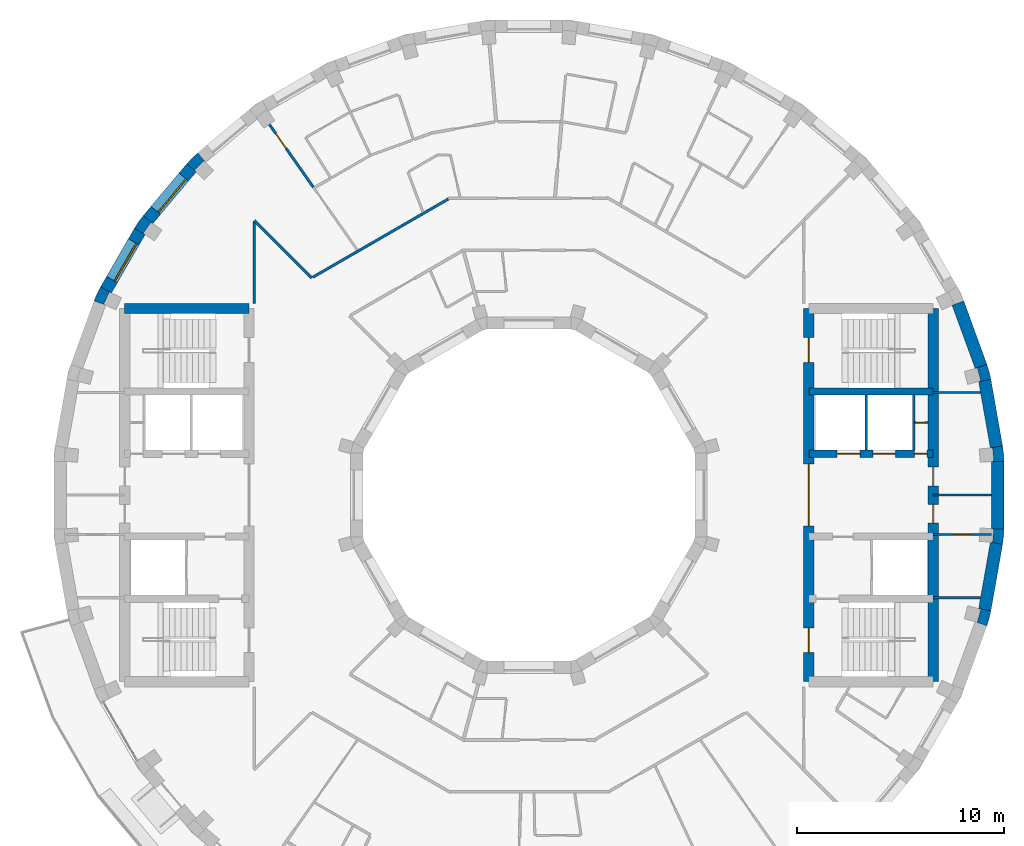
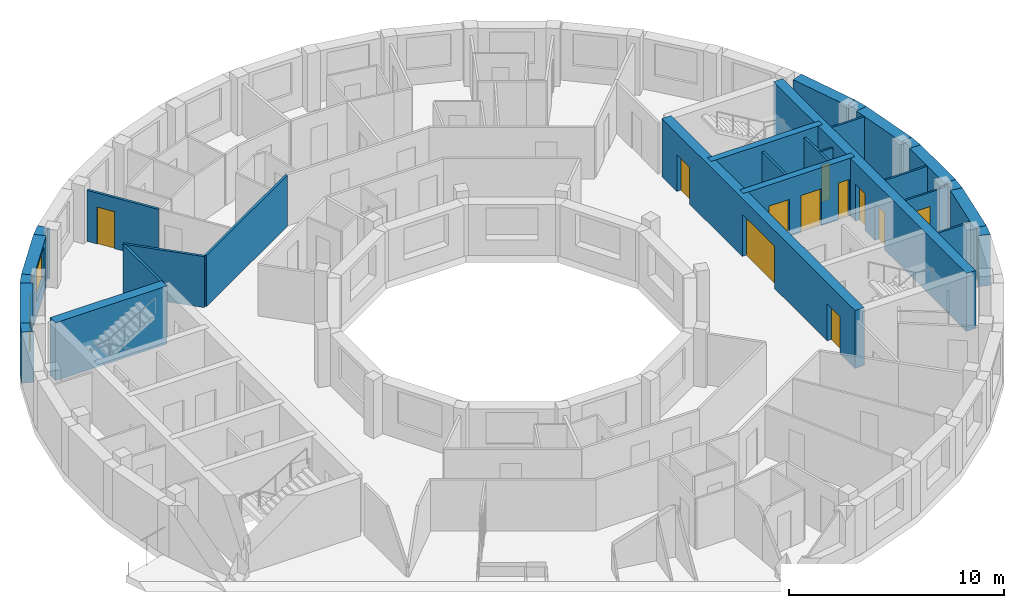
# One storey, part 8 of 12: 29 walls, 11 doors, 2 windows, 13 openings.
"""IFC4 building model written with IfcOpenShell, lengths in metres."""

from ifc_helpers import new_model, si_unit, direction, frame, frame_2d, origin, place, context, subcontext, project, spatial, polyline, rectangle, outline, extrude, material, layer, layer_set, type_object, element, fill, save


model = new_model("IFC4")

# Units and contexts
model_context = context("Model", 3, precision=1e-05, world=origin(), true_north=direction((0.0, 1.0)))
body_context = subcontext(model_context, "Body", "Model", "MODEL_VIEW")
ifc_project = project(units=[si_unit("LENGTHUNIT", "METRE"), si_unit("AREAUNIT", "SQUARE_METRE"), si_unit("VOLUMEUNIT", "CUBIC_METRE"), si_unit("PLANEANGLEUNIT", "RADIAN"), si_unit("MASSUNIT", "GRAM", prefix="KILO")], contexts=[model_context])

# Site, building, storey
site_placement = place(None, origin())
site = spatial("IfcSite", under=ifc_project, at=site_placement, CompositionType="ELEMENT")
building_placement = place(site_placement, origin())
building = spatial("IfcBuilding", under=site, at=building_placement, Name="Saqina Gate Tower", CompositionType="ELEMENT")
storey_placement = place(building_placement, frame((0.0, 0.0, 266.0)))
storey = spatial("IfcBuildingStorey", under=building, at=storey_placement, Name="L76", CompositionType="ELEMENT", Elevation=266.0)

# Walls
ifc_material_1 = material(Name="Brick masonry (buff)", Category="masonry")
wall_type_1 = type_object("IfcWallType", Name="BRICK PIER COPING BUFF", PredefinedType="SOLIDWALL", material=ifc_material_1)
wall_1_placement = place(storey_placement, origin())
element("IfcWall", 1, at=wall_1_placement, inside=storey, type_object=wall_type_1, Name="Pier cap L76 column 1", PredefinedType="SOLIDWALL", context=body_context, shape_type="SweptSolid", body=[
    extrude(outline(polyline([(22.91259765625, 1.625732421875), (22.8466796875, 2.377685546875), (22.255859375, 2.2734375), (22.361083984375, 2.28271484375), (22.417724609375, 1.635009765625), (22.3125, 1.625732421875), (22.91259765625, 1.625732421875)])), origin(), (0.0, 0.0, 1.0), 2.89990234375),
])
wall_2_placement = place(storey_placement, origin())
element("IfcWall", 2, at=wall_2_placement, inside=storey, type_object=wall_type_1, Name="Pier cap L76 column 2", PredefinedType="SOLIDWALL", context=body_context, shape_type="SweptSolid", body=[
    extrude(outline(polyline([(22.0869140625, 6.30859375), (21.52294921875, 6.103515625), (21.625, 6.130859375), (21.793212890625, 5.5029296875), (21.691162109375, 5.4755859375), (22.281982421875, 5.579833984375), (22.0869140625, 6.30859375)])), origin(), (0.0, 0.0, 1.0), 2.89990234375),
])
wall_3_placement = place(storey_placement, origin())
element("IfcWall", 3, at=wall_3_placement, inside=storey, type_object=wall_type_1, Name="Pier cap L76 column 14", PredefinedType="SOLIDWALL", context=body_context, shape_type="SweptSolid", body=[
    extrude(outline(polyline([(-16.5068359375, 15.973388671875), (-16.04736328125, 15.587646484375), (-16.1220703125, 15.662353515625), (-15.662353515625, 16.1220703125), (-15.587646484375, 16.04736328125), (-15.973388671875, 16.5068359375), (-16.5068359375, 15.973388671875)])), origin(), (0.0, 0.0, 1.0), 2.89990234375),
])
wall_4_placement = place(storey_placement, origin())
element("IfcWall", 4, at=wall_4_placement, inside=storey, type_object=wall_type_1, Name="Pier cap L76 column 15", PredefinedType="SOLIDWALL", context=body_context, shape_type="SweptSolid", body=[
    extrude(outline(polyline([(-19.02978515625, 12.8642578125), (-18.51025390625, 12.564208984375), (-18.596923828125, 12.625), (-18.22412109375, 13.157470703125), (-18.137451171875, 13.0966796875), (-18.59716796875, 13.482421875), (-19.02978515625, 12.8642578125)])), origin(), (0.0, 0.0, 1.0), 2.89990234375),
])
wall_5_placement = place(storey_placement, origin())
element("IfcWall", 5, at=wall_5_placement, inside=storey, type_object=wall_type_1, Name="Pier cap L76 column 16", PredefinedType="SOLIDWALL", context=body_context, shape_type="SweptSolid", body=[
    extrude(outline(polyline([(-20.65576171875, 10.048095703125), (-20.974609375, 9.3642578125), (-20.410888671875, 9.1591796875), (-20.506591796875, 9.203857421875), (-20.23193359375, 9.79296875), (-20.135986328125, 9.748291015625), (-20.65576171875, 10.048095703125)])), origin(), (0.0, 0.0, 1.0), 2.89990234375),
])
wall_6_placement = place(storey_placement, origin())
element("IfcWall", 6, at=wall_6_placement, inside=storey, type_object=wall_type_1, Name="Pier cap L76 column 35", PredefinedType="SOLIDWALL", context=body_context, shape_type="SweptSolid", body=[
    extrude(outline(polyline([(22.281982421875, -5.579833984375), (21.691162109375, -5.4755859375), (21.793212890625, -5.5029296875), (21.625, -6.130859375), (21.52294921875, -6.103515625), (22.0869140625, -6.30859375), (22.281982421875, -5.579833984375)])), origin(), (0.0, 0.0, 1.0), 2.89990234375),
])
wall_7_placement = place(storey_placement, origin())
element("IfcWall", 7, at=wall_7_placement, inside=storey, type_object=wall_type_1, Name="Pier cap L76 column 36", PredefinedType="SOLIDWALL", context=body_context, shape_type="SweptSolid", body=[
    extrude(outline(polyline([(22.8466796875, -2.377685546875), (22.91259765625, -1.625732421875), (22.3125, -1.625732421875), (22.417724609375, -1.635009765625), (22.361083984375, -2.28271484375), (22.255859375, -2.2734375), (22.8466796875, -2.377685546875)])), origin(), (0.0, 0.0, 1.0), 2.89990234375),
])

# Wall, opening, door
ifc_material_2 = material(Name="Gypsum board on steel studs", Category="steel")
ifc_layer_1 = layer(ifc_material_2, 0.10009765625)
ifc_layer_set_1 = layer_set([ifc_layer_1], Name="CORE PARTITION")
wall_type_2 = type_object("IfcWallType", Name="CORE PARTITION", PredefinedType="PARTITIONING", material=ifc_layer_set_1)
wall_8_placement = place(storey_placement, frame((18.56005859375, 3.5, 0.0), z_axis=(0.0, 0.0, 1.0), x_axis=(1.0, 0.0, 0.0)))
wall_8 = element("IfcWall", 8, at=wall_8_placement, inside=storey, type_object=wall_type_2, Name="L76-CP-E01", PredefinedType="PARTITIONING", context=body_context, shape_type="SweptSolid", body=[
    extrude(rectangle(XDim=0.68994140625, YDim=0.10009765625, at=frame_2d((0.344970703125, 0.0))), origin(), (0.0, 0.0, 1.0), 2.89990234375),
])
opening_1_placement = place(wall_8_placement, frame((0.10009765625, 0.0, 0.0)))
opening_1 = element("IfcOpeningElement", 9, at=opening_1_placement, cuts=wall_8, Name="Opening G22-D95", PredefinedType="OPENING", context=body_context, shape_type="SweptSolid", body=[
    extrude(rectangle(XDim=0.449951171875, YDim=2.10009765625, at=frame_2d((0.22509765625, 1.050048828125))), frame((0.0, 0.06201171875, 0.0), z_axis=(0.0, -1.0, 0.0), x_axis=(1.0, 0.0, 0.0)), (0.0, 0.0, 1.0), 0.1240234375),
])
ifc_material_3 = material(Name="Steel-framed fire door leaf, EI 60", Category="steel")
door_type_1 = type_object("IfcDoorType", Name="SERVICE ROOM DOOR 450", OperationType="SINGLE_SWING_LEFT", PredefinedType="DOOR", material=ifc_material_3)
door_1_placement = place(opening_1_placement, origin())
door_1 = element("IfcDoor", 10, at=door_1_placement, inside=storey, type_object=door_type_1, Name="L76-CD-E06", OperationType="SINGLE_SWING_RIGHT", OverallHeight=2.10009765625, OverallWidth=0.449951171875, PredefinedType="DOOR", context=body_context, shape_type="SweptSolid", body=[
    extrude(rectangle(XDim=0.449951171875, YDim=2.10009765625, at=frame_2d((0.22509765625, 1.050048828125))), frame((0.0, 0.02490234375, 0.0), z_axis=(0.0, -1.0, 0.0), x_axis=(1.0, 0.0, 0.0)), (0.0, 0.0, 1.0), 0.050048828125),
])
fill(opening_1, door_1)

# Walls
for number, where, z_axis, x_axis, name in (
    (11, (19.5, 4.949951171875, 0.0), (0.0, 0.0, 1.0), (1.0, 0.0, 0.0), "L76-CP-E02"),
    (12, (19.5, -4.949951171875, 0.0), (0.0, 0.0, 1.0), (1.0, 0.0, 0.0), "L76-CP-E03"),
):
    element("IfcWall", number, at=place(storey_placement, frame(where, z_axis=z_axis, x_axis=x_axis)), inside=storey, type_object=wall_type_2, Name=name, PredefinedType="PARTITIONING", context=body_context, shape_type="SweptSolid", body=[
        extrude(rectangle(XDim=2.283935546875, YDim=0.10009765625, at=frame_2d((1.14208984375, 0.0))), origin(), (0.0, 0.0, 1.0), 2.89990234375),
    ])

# Wall, opening, door
wall_9_placement = place(storey_placement, frame((19.5, -1.89990234375, 0.0), z_axis=(0.0, 0.0, 1.0), x_axis=(1.0, 0.0, 0.0)))
wall_9 = element("IfcWall", 13, at=wall_9_placement, inside=storey, type_object=wall_type_2, Name="L76-CP-E04", PredefinedType="PARTITIONING", context=body_context, shape_type="SweptSolid", body=[
    extrude(rectangle(XDim=2.8125, YDim=0.10009765625, at=frame_2d((1.40625, 0.0))), origin(), (0.0, 0.0, 1.0), 2.89990234375),
])
opening_2_placement = place(wall_9_placement, frame((0.956298828125, 0.0, 0.0)))
opening_2 = element("IfcOpeningElement", 14, at=opening_2_placement, cuts=wall_9, Name="Opening G22-D93", PredefinedType="OPENING", context=body_context, shape_type="SweptSolid", body=[
    extrude(rectangle(XDim=0.89990234375, YDim=2.10009765625, at=frame_2d((0.449951171875, 1.050048828125))), frame((0.0, 0.06201171875, 0.0), z_axis=(0.0, -1.0, 0.0), x_axis=(1.0, 0.0, 0.0)), (0.0, 0.0, 1.0), 0.1240234375),
])
ifc_material_4 = material(Name="Steel-framed fire door leaf, EI 60", Category="steel")
door_type_2 = type_object("IfcDoorType", Name="SERVICE ROOM DOOR 900", OperationType="SINGLE_SWING_LEFT", PredefinedType="DOOR", material=ifc_material_4)
door_2_placement = place(opening_2_placement, frame((0.89990234375, 0.0, 0.0), z_axis=(0.0, 0.0, 1.0), x_axis=(-1.0, 0.0, 0.0)))
door_2 = element("IfcDoor", 15, at=door_2_placement, inside=storey, type_object=door_type_2, Name="L76-CD-E04", OperationType="SINGLE_SWING_LEFT", OverallHeight=2.10009765625, OverallWidth=0.89990234375, PredefinedType="DOOR", context=body_context, shape_type="SweptSolid", body=[
    extrude(rectangle(XDim=0.89990234375, YDim=2.10009765625, at=frame_2d((0.449951171875, 1.050048828125))), frame((0.0, 0.02490234375, 0.0), z_axis=(0.0, -1.0, 0.0), x_axis=(1.0, 0.0, 0.0)), (0.0, 0.0, 1.0), 0.050048828125),
])
fill(opening_2, door_2)

# Wall
wall_10_placement = place(storey_placement, frame((19.5, 0.0, 0.0), z_axis=(0.0, 0.0, 1.0), x_axis=(1.0, 0.0, 0.0)))
element("IfcWall", 16, at=wall_10_placement, inside=storey, type_object=wall_type_2, Name="L76-CP-E05", PredefinedType="PARTITIONING", context=body_context, shape_type="SweptSolid", body=[
    extrude(rectangle(XDim=2.8125, YDim=0.10009765625, at=frame_2d((1.40625, 0.0))), origin(), (0.0, 0.0, 1.0), 2.89990234375),
])

# Wall, opening, window
ifc_material_5 = material(Name="Brick masonry (buff)", Category="masonry")
ifc_layer_2 = layer(ifc_material_5, 0.60009765625)
ifc_layer_set_2 = layer_set([ifc_layer_2], Name="FW-BRICK-BUFF")
wall_type_3 = type_object("IfcWallType", Name="FW-BRICK-BUFF", PredefinedType="SOLIDWALL", material=ifc_layer_set_2)
wall_11_placement = place(storey_placement, frame((-16.277099609375, 15.780517578125, 0.0), z_axis=(0.0, 0.0, 1.0), x_axis=(-0.64277291405, -0.766056773982, 0.0)))
wall_11 = element("IfcWall", 17, at=wall_11_placement, inside=storey, type_object=wall_type_3, Name="Facade wall L76 facet 14", PredefinedType="SOLIDWALL", context=body_context, shape_type="SweptSolid", body=[
    extrude(rectangle(XDim=3.251708984375, YDim=0.60009765625, at=frame_2d((1.6259765625, 0.0))), origin(), (0.0, 0.0, 1.0), 2.89990234375),
])
opening_3_placement = place(wall_11_placement, frame((0.57568359375, 0.0, 0.89990234375)))
opening_3 = element("IfcOpeningElement", 18, at=opening_3_placement, cuts=wall_11, Name="Opening G22-W12", PredefinedType="OPENING", context=body_context, shape_type="SweptSolid", body=[
    extrude(rectangle(XDim=2.10009765625, YDim=1.800048828125, at=frame_2d((1.050048828125, 0.89990234375))), frame((0.0, 0.31201171875, 0.0), z_axis=(0.0, -1.0, 0.0), x_axis=(1.0, 0.0, 0.0)), (0.0, 0.0, 1.0), 0.6240234375),
])
ifc_material_6 = material(Name="Aluminium glazing", Category="aluminium")
window_type = type_object("IfcWindowType", Name="WN-D", PartitioningType="SINGLE_PANEL", PredefinedType="WINDOW", material=ifc_material_6)
window_1_placement = place(opening_3_placement, origin())
window_1 = element("IfcWindow", 19, at=window_1_placement, inside=storey, type_object=window_type, Name="Window L76 facet 14", OverallHeight=1.800048828125, OverallWidth=2.10009765625, PartitioningType="SINGLE_PANEL", PredefinedType="WINDOW", context=body_context, shape_type="SweptSolid", body=[
    extrude(rectangle(XDim=2.10009765625, YDim=1.800048828125, at=frame_2d((1.050048828125, 0.89990234375))), frame((0.0, 0.179931640625, 0.0), z_axis=(0.0, -1.0, 0.0), x_axis=(1.0, 0.0, 0.0)), (0.0, 0.0, 1.0), 0.06005859375),
])
fill(opening_3, window_1)

wall_12_placement = place(storey_placement, frame((-18.77001953125, 12.71435546875, 0.0), z_axis=(0.0, 0.0, 1.0), x_axis=(-0.500014901547, -0.866016800201, 0.0)))
wall_12 = element("IfcWall", 20, at=wall_12_placement, inside=storey, type_object=wall_type_3, Name="Facade wall L76 facet 15", PredefinedType="SOLIDWALL", context=body_context, shape_type="SweptSolid", body=[
    extrude(rectangle(XDim=3.251953125, YDim=0.60009765625, at=frame_2d((1.6259765625, 0.0))), origin(), (0.0, 0.0, 1.0), 2.89990234375),
])
opening_4_placement = place(wall_12_placement, frame((0.57568359375, 0.0, 0.89990234375)))
opening_4 = element("IfcOpeningElement", 21, at=opening_4_placement, cuts=wall_12, Name="Opening G22-W13", PredefinedType="OPENING", context=body_context, shape_type="SweptSolid", body=[
    extrude(rectangle(XDim=2.10009765625, YDim=1.800048828125, at=frame_2d((1.050048828125, 0.89990234375))), frame((0.0, 0.31201171875, 0.0), z_axis=(0.0, -1.0, 0.0), x_axis=(1.0, 0.0, 0.0)), (0.0, 0.0, 1.0), 0.6240234375),
])
window_2_placement = place(opening_4_placement, origin())
window_2 = element("IfcWindow", 22, at=window_2_placement, inside=storey, type_object=window_type, Name="Window L76 facet 15", OverallHeight=1.800048828125, OverallWidth=2.10009765625, PartitioningType="SINGLE_PANEL", PredefinedType="WINDOW", context=body_context, shape_type="SweptSolid", body=[
    extrude(rectangle(XDim=2.10009765625, YDim=1.800048828125, at=frame_2d((1.050048828125, 0.89990234375))), frame((0.0, 0.179931640625, 0.0), z_axis=(0.0, -1.0, 0.0), x_axis=(1.0, 0.0, 0.0)), (0.0, 0.0, 1.0), 0.06005859375),
])
fill(opening_4, window_2)

# Walls
ifc_material_7 = material(Name="Glazed ceramic tile", Category="ceramic")
ifc_layer_3 = layer(ifc_material_7, 0.60009765625)
ifc_layer_set_3 = layer_set([ifc_layer_3], Name="FW-TILE")
wall_type_4 = type_object("IfcWallType", Name="FW-TILE", PredefinedType="SOLIDWALL", material=ifc_layer_set_3)
for number, where, z_axis, x_axis, name in (
    (23, (22.55126953125, 2.325439453125, 0.0), (0.0, 0.0, 1.0), (-0.173656842178, 0.984806225186, 0.0), "Facade wall L76 facet 1"),
    (24, (21.986572265625, -5.52783203125, 0.0), (0.0, 0.0, 1.0), (0.173656842178, 0.984806225186, 0.0), "Facade wall L76 facet 35"),
):
    element("IfcWall", number, at=place(storey_placement, frame(where, z_axis=z_axis, x_axis=x_axis)), inside=storey, type_object=wall_type_4, Name=name, PredefinedType="SOLIDWALL", context=body_context, shape_type="SweptSolid", body=[
        extrude(rectangle(XDim=3.251708984375, YDim=0.60009765625, at=frame_2d((1.6259765625, 0.0))), origin(), (0.0, 0.0, 1.0), 2.89990234375),
    ])
ifc_material_8 = material(Name="Glazed ceramic tile (dark blue)", Category="ceramic")
ifc_layer_4 = layer(ifc_material_8, 0.60009765625)
ifc_layer_set_4 = layer_set([ifc_layer_4], Name="FW-TILE-CB")
wall_type_5 = type_object("IfcWallType", Name="FW-TILE-CB", PredefinedType="SOLIDWALL", material=ifc_layer_set_4)
wall_13_placement = place(storey_placement, frame((21.804931640625, 6.2060546875, 0.0), z_axis=(0.0, 0.0, 1.0), x_axis=(-0.342056509473, 0.939679383794, 0.0)))
element("IfcWall", 25, at=wall_13_placement, inside=storey, type_object=wall_type_5, Name="Facade wall L76 facet 2", PredefinedType="SOLIDWALL", context=body_context, shape_type="SweptSolid", body=[
    extrude(rectangle(XDim=3.251708984375, YDim=0.60009765625, at=frame_2d((1.6259765625, 0.0))), origin(), (0.0, 0.0, 1.0), 2.89990234375),
])
ifc_material_9 = material(Name="Glazed ceramic tile (white)", Category="ceramic")
ifc_layer_5 = layer(ifc_material_9, 0.60009765625)
ifc_layer_set_5 = layer_set([ifc_layer_5], Name="FW-TILE-WH")
wall_type_6 = type_object("IfcWallType", Name="FW-TILE-WH", PredefinedType="SOLIDWALL", material=ifc_layer_set_5)
wall_14_placement = place(storey_placement, frame((22.612548828125, -1.625732421875, 0.0), z_axis=(0.0, 0.0, 1.0), x_axis=(0.0, 1.0, 0.0)))
element("IfcWall", 26, at=wall_14_placement, inside=storey, type_object=wall_type_6, Name="Facade wall L76 facet 36", PredefinedType="SOLIDWALL", context=body_context, shape_type="SweptSolid", body=[
    extrude(rectangle(XDim=3.25146484375, YDim=0.60009765625, at=frame_2d((1.625732421875, 0.0))), origin(), (0.0, 0.0, 1.0), 2.89990234375),
])

# Wall, opening, door
ifc_material_10 = material(Name="Gypsum board on steel studs, 125 mm, fire rated", Category="steel")
ifc_layer_6 = layer(ifc_material_10, 0.125)
ifc_layer_set_6 = layer_set([ifc_layer_6], Name="PARTITION EI 30 125")
wall_type_7 = type_object("IfcWallType", Name="PARTITION EI 30 125", PredefinedType="PARTITIONING", material=ifc_layer_set_6)
wall_15_placement = place(storey_placement, frame((-12.5126953125, 17.86962890625, 0.0), z_axis=(0.0, 0.0, 1.0), x_axis=(0.573564635471, -0.819160307228, 0.0)))
wall_15 = element("IfcWall", 27, at=wall_15_placement, inside=storey, type_object=wall_type_7, Name="PARTITION PW1-03", PredefinedType="PARTITIONING", context=body_context, shape_type="SweptSolid", body=[
    extrude(rectangle(XDim=3.68408203125, YDim=0.125, at=frame_2d((1.842041015625, 0.0))), origin(), (0.0, 0.0, 1.0), 2.89990234375),
])
opening_5_placement = place(wall_15_placement, frame((0.525634765625, 0.0, 0.0)))
opening_5 = element("IfcOpeningElement", 28, at=opening_5_placement, cuts=wall_15, Name="Opening G22-D23", PredefinedType="OPENING", context=body_context, shape_type="SweptSolid", body=[
    extrude(rectangle(XDim=0.89990234375, YDim=2.10009765625, at=frame_2d((0.449951171875, 1.050048828125))), frame((0.0, 0.074462890625, 0.0), z_axis=(0.0, -1.0, 0.0), x_axis=(1.0, 0.0, 0.0)), (0.0, 0.0, 1.0), 0.14892578125),
])
ifc_material_11 = material(Name="Fire door leaf EI 30, 900 mm")
door_type_3 = type_object("IfcDoorType", Name="DOOR 900 EI 30", OperationType="SINGLE_SWING_LEFT", PredefinedType="DOOR", material=ifc_material_11)
door_3_placement = place(opening_5_placement, frame((0.89990234375, 0.0, 0.0), z_axis=(0.0, 0.0, 1.0), x_axis=(-1.0, 0.0, 0.0)))
door_3 = element("IfcDoor", 29, at=door_3_placement, inside=storey, type_object=door_type_3, Name="DOOR G22-D23", OperationType="SINGLE_SWING_RIGHT", OverallHeight=2.10009765625, OverallWidth=0.89990234375, PredefinedType="DOOR", context=body_context, shape_type="SweptSolid", body=[
    extrude(rectangle(XDim=0.89990234375, YDim=2.10009765625, at=frame_2d((0.449951171875, 1.050048828125))), frame((0.0, 0.02490234375, 0.0), z_axis=(0.0, -1.0, 0.0), x_axis=(1.0, 0.0, 0.0)), (0.0, 0.0, 1.0), 0.050048828125),
])
fill(opening_5, door_3)

# Walls
wall_16_placement = place(storey_placement, frame((-13.25, 13.25, 0.0), z_axis=(0.0, 0.0, 1.0), x_axis=(0.707106781187, -0.707106781187, 0.0)))
element("IfcWall", 30, at=wall_16_placement, inside=storey, type_object=wall_type_7, Name="PARTITION PW1-04", PredefinedType="PARTITIONING", context=body_context, shape_type="SweptSolid", body=[
    extrude(rectangle(XDim=3.9228515625, YDim=0.125, at=frame_2d((1.96142578125, 0.0))), origin(), (0.0, 0.0, 1.0), 2.89990234375),
])
wall_17_placement = place(storey_placement, frame((-10.421875, 10.50732421875, 0.0), z_axis=(0.0, 0.0, 1.0), x_axis=(0.866068111199, 0.499926021291, 0.0)))
element("IfcWall", 31, at=wall_17_placement, inside=storey, type_object=wall_type_7, Name="PARTITION PW1-28", PredefinedType="PARTITIONING", context=body_context, shape_type="SweptSolid", body=[
    extrude(rectangle(XDim=7.544189453125, YDim=0.125, at=frame_2d((3.77197265625, 0.0))), origin(), (0.0, 0.0, 1.0), 2.89990234375),
])
wall_18_placement = place(storey_placement, frame((-13.25, 9.25, 0.0), z_axis=(0.0, 0.0, 1.0), x_axis=(0.0, 1.0, 0.0)))
element("IfcWall", 32, at=wall_18_placement, inside=storey, type_object=wall_type_7, Name="PARTITION PW1-45", PredefinedType="PARTITIONING", context=body_context, shape_type="SweptSolid", body=[
    extrude(rectangle(XDim=3.9375, YDim=0.125, at=frame_2d((1.96875, 0.0))), origin(), (0.0, 0.0, 1.0), 2.89990234375),
])
ifc_material_12 = material(Name="Autoclaved aerated concrete block", Category="concrete")
ifc_layer_7 = layer(ifc_material_12, 0.1201171875)
ifc_layer_set_7 = layer_set([ifc_layer_7], Name="SHAFT PARTITION")
wall_type_8 = type_object("IfcWallType", Name="SHAFT PARTITION", PredefinedType="PARTITIONING", material=ifc_layer_set_7)
for number, where, z_axis, x_axis, name in (
    (33, (16.280029296875, 2.175048828125, 0.0), (0.0, 0.0, 1.0), (0.0, 1.0, 0.0), "L76-CP-E06"),
    (34, (18.56005859375, 2.175048828125, 0.0), (0.0, 0.0, 1.0), (0.0, 1.0, 0.0), "L76-CP-E07"),
):
    element("IfcWall", number, at=place(storey_placement, frame(where, z_axis=z_axis, x_axis=x_axis)), inside=storey, type_object=wall_type_8, Name=name, PredefinedType="PARTITIONING", context=body_context, shape_type="SweptSolid", body=[
        extrude(rectangle(XDim=2.64990234375, YDim=0.1201171875, at=frame_2d((1.324951171875, 0.0))), origin(), (0.0, 0.0, 1.0), 2.89990234375),
    ])
ifc_material_13 = material(Name="Concrete C60/75", Category="concrete")
ifc_layer_8 = layer(ifc_material_13, 0.35009765625)
ifc_layer_set_8 = layer_set([ifc_layer_8], Name="Concrete C60/75")
wall_type_9 = type_object("IfcWallType", Name="STR-CORE WALL-D-I", PredefinedType="SHEAR", material=ifc_layer_set_8)
wall_19_placement = place(storey_placement, frame((13.5, 5.0, 0.0), z_axis=(0.0, 0.0, 1.0), x_axis=(1.0, 0.0, 0.0)))
element("IfcWall", 35, at=wall_19_placement, inside=storey, type_object=wall_type_9, Name="CORE WALL L76 E-X1", PredefinedType="SHEAR", context=body_context, shape_type="SweptSolid", body=[
    extrude(rectangle(XDim=6.0, YDim=0.35009765625, at=frame_2d((3.0, 0.0))), origin(), (0.0, 0.0, 1.0), 3.300048828125),
])

# Wall, openings, doors
wall_20_placement = place(storey_placement, frame((13.5, 2.0, 0.0), z_axis=(0.0, 0.0, 1.0), x_axis=(1.0, 0.0, 0.0)))
wall_20 = element("IfcWall", 36, at=wall_20_placement, inside=storey, type_object=wall_type_9, Name="CORE WALL L76 E-L1", PredefinedType="SHEAR", context=body_context, shape_type="SweptSolid", body=[
    extrude(rectangle(XDim=6.0, YDim=0.35009765625, at=frame_2d((3.0, 0.0))), origin(), (0.0, 0.0, 1.0), 3.300048828125),
])
opening_6_placement = place(wall_20_placement, frame((1.3701171875, 0.0, 0.0)))
opening_6 = element("IfcOpeningElement", 37, at=opening_6_placement, cuts=wall_20, Name="Opening G22-LD1", PredefinedType="OPENING", context=body_context, shape_type="SweptSolid", body=[
    extrude(rectangle(XDim=1.10009765625, YDim=2.10009765625, at=frame_2d((0.550048828125, 1.050048828125))), frame((0.0, 0.18701171875, 0.0), z_axis=(0.0, -1.0, 0.0), x_axis=(1.0, 0.0, 0.0)), (0.0, 0.0, 1.0), 0.3740234375),
])
opening_7_placement = place(wall_20_placement, frame((3.090087890625, 0.0, 0.0)))
opening_7 = element("IfcOpeningElement", 38, at=opening_7_placement, cuts=wall_20, Name="Opening G22-LD2", PredefinedType="OPENING", context=body_context, shape_type="SweptSolid", body=[
    extrude(rectangle(XDim=1.10009765625, YDim=2.10009765625, at=frame_2d((0.550048828125, 1.050048828125))), frame((0.0, 0.18701171875, 0.0), z_axis=(0.0, -1.0, 0.0), x_axis=(1.0, 0.0, 0.0)), (0.0, 0.0, 1.0), 0.3740234375),
])
opening_8_placement = place(wall_20_placement, frame((5.10498046875, 0.0, 0.0)))
opening_8 = element("IfcOpeningElement", 39, at=opening_8_placement, cuts=wall_20, Name="Opening G22-D90", PredefinedType="OPENING", context=body_context, shape_type="SweptSolid", body=[
    extrude(rectangle(XDim=0.60009765625, YDim=2.10009765625, at=frame_2d((0.300048828125, 1.050048828125))), frame((0.0, 0.18701171875, 0.0), z_axis=(0.0, -1.0, 0.0), x_axis=(1.0, 0.0, 0.0)), (0.0, 0.0, 1.0), 0.3740234375),
])
ifc_material_14 = material(Name="Stainless steel", Category="steel")
door_type_4 = type_object("IfcDoorType", Name="LANDING DOOR", OperationType="DOUBLE_DOOR_SLIDING", PredefinedType="DOOR", material=ifc_material_14)
door_4_placement = place(opening_6_placement, origin())
door_4 = element("IfcDoor", 40, at=door_4_placement, inside=storey, type_object=door_type_4, Name="LANDING DOOR HR1", OperationType="DOUBLE_DOOR_SLIDING", OverallHeight=2.10009765625, OverallWidth=1.10009765625, PredefinedType="DOOR", context=body_context, shape_type="SweptSolid", body=[
    extrude(rectangle(XDim=1.10009765625, YDim=2.10009765625, at=frame_2d((0.550048828125, 1.050048828125))), frame((0.0, 0.02490234375, 0.0), z_axis=(0.0, -1.0, 0.0), x_axis=(1.0, 0.0, 0.0)), (0.0, 0.0, 1.0), 0.050048828125),
])
fill(opening_6, door_4)
door_5_placement = place(opening_7_placement, origin())
door_5 = element("IfcDoor", 41, at=door_5_placement, inside=storey, type_object=door_type_4, Name="LANDING DOOR HR2", OperationType="DOUBLE_DOOR_SLIDING", OverallHeight=2.10009765625, OverallWidth=1.10009765625, PredefinedType="DOOR", context=body_context, shape_type="SweptSolid", body=[
    extrude(rectangle(XDim=1.10009765625, YDim=2.10009765625, at=frame_2d((0.550048828125, 1.050048828125))), frame((0.0, 0.02490234375, 0.0), z_axis=(0.0, -1.0, 0.0), x_axis=(1.0, 0.0, 0.0)), (0.0, 0.0, 1.0), 0.050048828125),
])
fill(opening_7, door_5)
ifc_material_15 = material(Name="Steel-framed fire door leaf, EI 60", Category="steel")
door_type_5 = type_object("IfcDoorType", Name="SERVICE ROOM DOOR 600", OperationType="SINGLE_SWING_LEFT", PredefinedType="DOOR", material=ifc_material_15)
door_6_placement = place(opening_8_placement, origin())
door_6 = element("IfcDoor", 42, at=door_6_placement, inside=storey, type_object=door_type_5, Name="L76-CD-E01", OperationType="SINGLE_SWING_RIGHT", OverallHeight=2.10009765625, OverallWidth=0.60009765625, PredefinedType="DOOR", context=body_context, shape_type="SweptSolid", body=[
    extrude(rectangle(XDim=0.60009765625, YDim=2.10009765625, at=frame_2d((0.300048828125, 1.050048828125))), frame((0.0, 0.02490234375, 0.0), z_axis=(0.0, -1.0, 0.0), x_axis=(1.0, 0.0, 0.0)), (0.0, 0.0, 1.0), 0.050048828125),
])
fill(opening_8, door_6)

ifc_material_16 = material(Name="Concrete C60/75", Category="concrete")
ifc_layer_9 = layer(ifc_material_16, 0.5)
ifc_layer_set_9 = layer_set([ifc_layer_9], Name="Concrete C60/75")
wall_type_10 = type_object("IfcWallType", Name="STR-CORE WALL-D-O", PredefinedType="SHEAR", material=ifc_layer_set_9)
wall_21_placement = place(storey_placement, frame((13.5, -9.0, 0.0), z_axis=(0.0, 0.0, 1.0), x_axis=(0.0, 1.0, 0.0)))
wall_21 = element("IfcWall", 43, at=wall_21_placement, inside=storey, type_object=wall_type_10, Name="CORE WALL L76 E-W1", PredefinedType="SHEAR", context=body_context, shape_type="SweptSolid", body=[
    extrude(rectangle(XDim=18.0, YDim=0.5, at=frame_2d((9.0, 0.0))), origin(), (0.0, 0.0, 1.0), 3.300048828125),
])
opening_9_placement = place(wall_21_placement, frame((15.39990234375, 0.0, 0.0)))
opening_9 = element("IfcOpeningElement", 44, at=opening_9_placement, cuts=wall_21, Name="Opening G22-D97", PredefinedType="OPENING", context=body_context, shape_type="SweptSolid", body=[
    extrude(rectangle(XDim=1.199951171875, YDim=2.10009765625, at=frame_2d((0.60009765625, 1.050048828125))), frame((0.0, 0.261962890625, 0.0), z_axis=(0.0, -1.0, 0.0), x_axis=(1.0, 0.0, 0.0)), (0.0, 0.0, 1.0), 0.52392578125),
])
opening_10_placement = place(wall_21_placement, frame((1.39990234375, 0.0, 0.0)))
opening_10 = element("IfcOpeningElement", 45, at=opening_10_placement, cuts=wall_21, Name="Opening G22-D98", PredefinedType="OPENING", context=body_context, shape_type="SweptSolid", body=[
    extrude(rectangle(XDim=1.199951171875, YDim=2.10009765625, at=frame_2d((0.60009765625, 1.050048828125))), frame((0.0, 0.261962890625, 0.0), z_axis=(0.0, -1.0, 0.0), x_axis=(1.0, 0.0, 0.0)), (0.0, 0.0, 1.0), 0.52392578125),
])
opening_11_placement = place(wall_21_placement, frame((7.5, 0.0, 0.0)))
opening_11 = element("IfcOpeningElement", 46, at=opening_11_placement, cuts=wall_21, Name="Opening G22-D99", PredefinedType="OPENING", context=body_context, shape_type="SweptSolid", body=[
    extrude(rectangle(XDim=3.0, YDim=2.39990234375, at=frame_2d((1.5, 1.199951171875))), frame((0.0, 0.261962890625, 0.0), z_axis=(0.0, -1.0, 0.0), x_axis=(1.0, 0.0, 0.0)), (0.0, 0.0, 1.0), 0.52392578125),
])
ifc_material_17 = material(Name="Steel", Category="steel")
door_type_6 = type_object("IfcDoorType", Name="FIRE DOOR EI 60", OperationType="SINGLE_SWING_LEFT", PredefinedType="DOOR", material=ifc_material_17)
door_7_placement = place(opening_9_placement, frame((1.199951171875, 0.0, 0.0), z_axis=(0.0, 0.0, 1.0), x_axis=(-1.0, 0.0, 0.0)))
door_7 = element("IfcDoor", 47, at=door_7_placement, inside=storey, type_object=door_type_6, Name="L76-CD-E08", OperationType="SINGLE_SWING_LEFT", OverallHeight=2.10009765625, OverallWidth=1.199951171875, PredefinedType="DOOR", context=body_context, shape_type="SweptSolid", body=[
    extrude(rectangle(XDim=1.199951171875, YDim=2.10009765625, at=frame_2d((0.60009765625, 1.050048828125))), frame((0.0, 0.02490234375, 0.0), z_axis=(0.0, -1.0, 0.0), x_axis=(1.0, 0.0, 0.0)), (0.0, 0.0, 1.0), 0.050048828125),
])
fill(opening_9, door_7)
door_8_placement = place(opening_10_placement, frame((1.199951171875, 0.0, 0.0), z_axis=(0.0, 0.0, 1.0), x_axis=(-1.0, 0.0, 0.0)))
door_8 = element("IfcDoor", 48, at=door_8_placement, inside=storey, type_object=door_type_6, Name="L76-CD-E09", OperationType="SINGLE_SWING_RIGHT", OverallHeight=2.10009765625, OverallWidth=1.199951171875, PredefinedType="DOOR", context=body_context, shape_type="SweptSolid", body=[
    extrude(rectangle(XDim=1.199951171875, YDim=2.10009765625, at=frame_2d((0.60009765625, 1.050048828125))), frame((0.0, 0.02490234375, 0.0), z_axis=(0.0, -1.0, 0.0), x_axis=(1.0, 0.0, 0.0)), (0.0, 0.0, 1.0), 0.050048828125),
])
fill(opening_10, door_8)
ifc_material_18 = material(Name="Steel and fire-resisting glass", Category="steel")
door_type_7 = type_object("IfcDoorType", Name="LOBBY SCREEN DOOR", OperationType="DOUBLE_DOOR_SLIDING", PredefinedType="DOOR", material=ifc_material_18)
door_9_placement = place(opening_11_placement, origin())
door_9 = element("IfcDoor", 49, at=door_9_placement, inside=storey, type_object=door_type_7, Name="L76-CD-E10", OperationType="DOUBLE_DOOR_SLIDING", OverallHeight=2.39990234375, OverallWidth=3.0, PredefinedType="DOOR", context=body_context, shape_type="SweptSolid", body=[
    extrude(rectangle(XDim=3.0, YDim=2.39990234375, at=frame_2d((1.5, 1.199951171875))), frame((0.0, 0.02490234375, 0.0), z_axis=(0.0, -1.0, 0.0), x_axis=(1.0, 0.0, 0.0)), (0.0, 0.0, 1.0), 0.050048828125),
])
fill(opening_11, door_9)

wall_22_placement = place(storey_placement, frame((19.5, -9.0, 0.0), z_axis=(0.0, 0.0, 1.0), x_axis=(0.0, 1.0, 0.0)))
wall_22 = element("IfcWall", 50, at=wall_22_placement, inside=storey, type_object=wall_type_10, Name="CORE WALL L76 E-W2", PredefinedType="SHEAR", context=body_context, shape_type="SweptSolid", body=[
    extrude(rectangle(XDim=18.0, YDim=0.5, at=frame_2d((9.0, 0.0))), origin(), (0.0, 0.0, 1.0), 3.300048828125),
])
opening_12_placement = place(wall_22_placement, frame((9.449951171875, 0.0, 0.0)))
opening_12 = element("IfcOpeningElement", 51, at=opening_12_placement, cuts=wall_22, Name="Opening G22-D92", PredefinedType="OPENING", context=body_context, shape_type="SweptSolid", body=[
    extrude(rectangle(XDim=0.89990234375, YDim=2.10009765625, at=frame_2d((0.449951171875, 1.050048828125))), frame((0.0, 0.261962890625, 0.0), z_axis=(0.0, -1.0, 0.0), x_axis=(1.0, 0.0, 0.0)), (0.0, 0.0, 1.0), 0.52392578125),
])
opening_13_placement = place(wall_22_placement, frame((7.64990234375, 0.0, 0.0)))
opening_13 = element("IfcOpeningElement", 52, at=opening_13_placement, cuts=wall_22, Name="Opening G22-D94", PredefinedType="OPENING", context=body_context, shape_type="SweptSolid", body=[
    extrude(rectangle(XDim=0.89990234375, YDim=2.10009765625, at=frame_2d((0.449951171875, 1.050048828125))), frame((0.0, 0.261962890625, 0.0), z_axis=(0.0, -1.0, 0.0), x_axis=(1.0, 0.0, 0.0)), (0.0, 0.0, 1.0), 0.52392578125),
])
door_10_placement = place(opening_12_placement, frame((0.89990234375, 0.0, 0.0), z_axis=(0.0, 0.0, 1.0), x_axis=(-1.0, 0.0, 0.0)))
door_10 = element("IfcDoor", 53, at=door_10_placement, inside=storey, type_object=door_type_2, Name="L76-CD-E03", OperationType="SINGLE_SWING_RIGHT", OverallHeight=2.10009765625, OverallWidth=0.89990234375, PredefinedType="DOOR", context=body_context, shape_type="SweptSolid", body=[
    extrude(rectangle(XDim=0.89990234375, YDim=2.10009765625, at=frame_2d((0.449951171875, 1.050048828125))), frame((0.0, 0.02490234375, 0.0), z_axis=(0.0, -1.0, 0.0), x_axis=(1.0, 0.0, 0.0)), (0.0, 0.0, 1.0), 0.050048828125),
])
fill(opening_12, door_10)
door_11_placement = place(opening_13_placement, frame((0.89990234375, 0.0, 0.0), z_axis=(0.0, 0.0, 1.0), x_axis=(-1.0, 0.0, 0.0)))
door_11 = element("IfcDoor", 54, at=door_11_placement, inside=storey, type_object=door_type_2, Name="L76-CD-E05", OperationType="SINGLE_SWING_RIGHT", OverallHeight=2.10009765625, OverallWidth=0.89990234375, PredefinedType="DOOR", context=body_context, shape_type="SweptSolid", body=[
    extrude(rectangle(XDim=0.89990234375, YDim=2.10009765625, at=frame_2d((0.449951171875, 1.050048828125))), frame((0.0, 0.02490234375, 0.0), z_axis=(0.0, -1.0, 0.0), x_axis=(1.0, 0.0, 0.0)), (0.0, 0.0, 1.0), 0.050048828125),
])
fill(opening_13, door_11)

# Wall
wall_23_placement = place(storey_placement, frame((-13.5, 9.0, 0.0), z_axis=(0.0, 0.0, 1.0), x_axis=(-1.0, 0.0, 0.0)))
element("IfcWall", 55, at=wall_23_placement, inside=storey, type_object=wall_type_10, Name="CORE WALL L76 W-NE", PredefinedType="SHEAR", context=body_context, shape_type="SweptSolid", body=[
    extrude(rectangle(XDim=6.0, YDim=0.5, at=frame_2d((3.0, 0.0))), origin(), (0.0, 0.0, 1.0), 3.300048828125),
])

save(model, "model.ifc")
